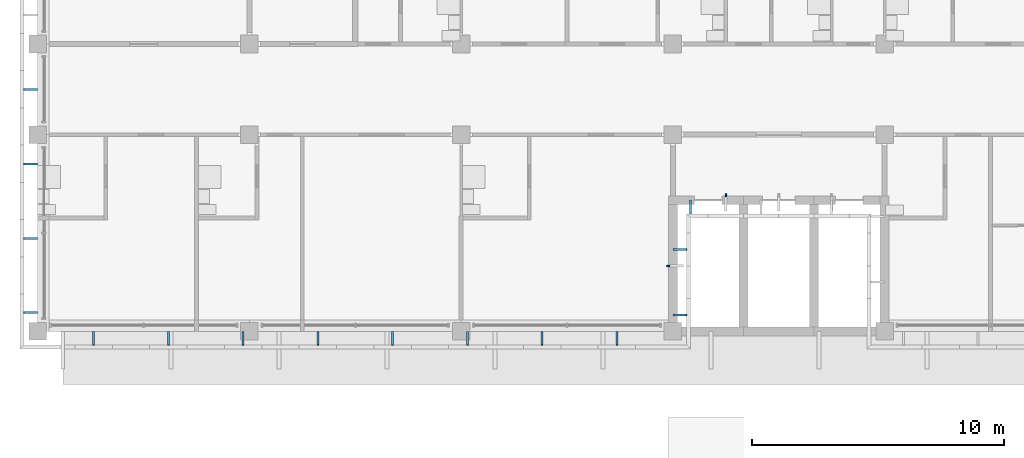
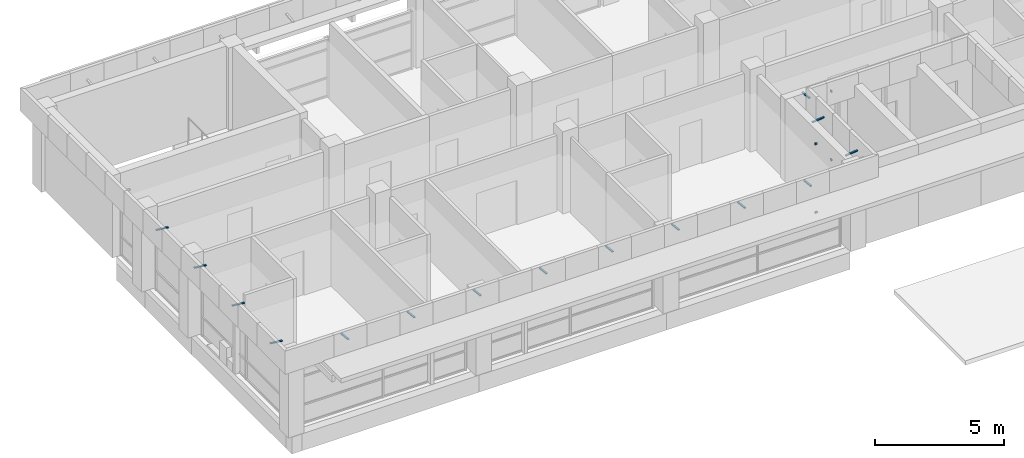
# One storey, part 23 of 36: 19 discrete accessories.
"""IFC4 building model written with IfcOpenShell, lengths in metres."""

from ifc_helpers import new_model, si_unit, direction, frame, origin, origin_2d, place, context, subcontext, project, spatial, rectangle, extrude, material, material_profile, profile_set, type_object, element, save


model = new_model("IFC4")

# Units and contexts
model_context = context("Model", 3, precision=1e-05, world=origin(), true_north=direction((0.0, 1.0)))
body_context = subcontext(model_context, "Body", "Model", "MODEL_VIEW")
ifc_project = project(units=[si_unit("LENGTHUNIT", "METRE"), si_unit("AREAUNIT", "SQUARE_METRE"), si_unit("VOLUMEUNIT", "CUBIC_METRE"), si_unit("PLANEANGLEUNIT", "RADIAN"), si_unit("MASSUNIT", "GRAM", prefix="KILO")], contexts=[model_context])

# Site, building, storey
site_placement = place(None, origin())
site = spatial("IfcSite", under=ifc_project, at=site_placement, CompositionType="ELEMENT")
building_placement = place(site_placement, origin())
building = spatial("IfcBuilding", under=site, at=building_placement, Name="Bougainvillea Quay General Hospital", CompositionType="ELEMENT")
storey_placement = place(building_placement, frame((0.0, 0.0, 32.699951171875)))
storey = spatial("IfcBuildingStorey", under=building, at=storey_placement, Name="L07", CompositionType="ELEMENT", Elevation=32.699951171875)

# Discrete accessories
ifc_material = material(Name="Stainless steel bracket, grade 316", Category="steel")
discrete_accessory_type_1 = type_object("IfcDiscreteAccessoryType", Name="Stainless steel fin arm 60x80", PredefinedType="BRACKET", material=ifc_material)
for number, where, z_axis, x_axis, name in (
    (1, (67.010009765625, 143.0, 0.0), (0.0, 0.0, 1.0), (1.0, 0.0, 0.0), "Fin arm V5A L07 03.1B"),
    (2, (67.010009765625, 143.0, 3.25), (0.0, 0.0, 1.0), (1.0, 0.0, 0.0), "Fin arm V5A L07 03.1T"),
    (3, (69.300048828125, 145.7900390625, 0.0), (0.0, 0.0, 1.0), (0.0, -1.0, 0.0), "Fin arm V5A L07 04.3B"),
    (4, (69.300048828125, 145.7900390625, 3.25), (0.0, 0.0, 1.0), (0.0, -1.0, 0.0), "Fin arm V5A L07 04.3T"),
):
    element("IfcDiscreteAccessory", number, at=place(storey_placement, frame(where, z_axis=z_axis, x_axis=x_axis)), inside=storey, type_object=discrete_accessory_type_1, Name=name, PredefinedType="BRACKET", context=body_context, shape_type="SweptSolid", body=[
        extrude(rectangle(XDim=0.1201171875, YDim=0.06005859375, at=origin_2d()), origin(), (0.0, 0.0, 1.0), 0.080078125),
    ])
ifc_material_profile = material_profile(ifc_material, rectangle(XDim=0.080078125, YDim=0.050048828125, at=origin_2d()))
ifc_profile_set = profile_set([ifc_material_profile], Name="Stainless steel bracket, grade 316")
discrete_accessory_type_2 = type_object("IfcDiscreteAccessoryType", Name="Stainless steel stand-off bracket 80x50", PredefinedType="BRACKET", material=ifc_profile_set)
for number, where, z_axis, x_axis, name in (
    (5, (42.0, 150.0, 3.840087890625), (-0.994091793559, 0.0, 0.108542645901), (0.0, -1.0, 0.0), "Fascia bracket e0 103"),
    (6, (42.0, 147.046142578125, 3.840087890625), (-0.994091793559, 0.0, 0.108542645901), (0.0, -1.0, 0.0), "Fascia bracket e0 105"),
    (7, (42.0, 144.09228515625, 3.840087890625), (-0.994091793559, 0.0, 0.108542645901), (0.0, -1.0, 0.0), "Fascia bracket e0 107"),
    (8, (42.0, 141.138427734375, 3.840087890625), (-0.994091793559, 0.0, 0.108542645901), (0.0, -1.0, 0.0), "Fascia bracket e0 109"),
):
    element("IfcDiscreteAccessory", number, at=place(storey_placement, frame(where, z_axis=z_axis, x_axis=x_axis)), inside=storey, type_object=discrete_accessory_type_2, Name=name, PredefinedType="BRACKET", context=body_context, shape_type="SweptSolid", body=[
        extrude(rectangle(XDim=0.080078125, YDim=0.050048828125, at=origin_2d()), origin(), (0.0, 0.0, 1.0), 0.55322265625),
    ])
for number, where, z_axis, x_axis, name in (
    (9, (44.2236328125, 140.39990234375, 3.840087890625), (0.0, -0.994086591779, 0.108590276011), (1.0, 0.0, 0.0), "Fascia bracket e0 111"),
    (10, (47.188232421875, 140.39990234375, 3.840087890625), (0.0, -0.994086591779, 0.108590276011), (1.0, 0.0, 0.0), "Fascia bracket e0 113"),
    (11, (50.15283203125, 140.39990234375, 3.840087890625), (0.0, -0.994086591779, 0.108590276011), (1.0, 0.0, 0.0), "Fascia bracket e0 115"),
    (12, (53.11767578125, 140.39990234375, 3.840087890625), (0.0, -0.994086591779, 0.108590276011), (1.0, 0.0, 0.0), "Fascia bracket e0 117"),
    (13, (56.082275390625, 140.39990234375, 3.840087890625), (0.0, -0.994086591779, 0.108590276011), (1.0, 0.0, 0.0), "Fascia bracket e0 119"),
    (14, (59.047119140625, 140.39990234375, 3.840087890625), (0.0, -0.994086591779, 0.108590276011), (1.0, 0.0, 0.0), "Fascia bracket e0 121"),
    (15, (62.01171875, 140.39990234375, 3.840087890625), (0.0, -0.994086591779, 0.108590276011), (1.0, 0.0, 0.0), "Fascia bracket e0 123"),
    (16, (64.9765625, 140.39990234375, 3.840087890625), (0.0, -0.994086591779, 0.108590276011), (1.0, 0.0, 0.0), "Fascia bracket e0 125"),
):
    element("IfcDiscreteAccessory", number, at=place(storey_placement, frame(where, z_axis=z_axis, x_axis=x_axis)), inside=storey, type_object=discrete_accessory_type_2, Name=name, PredefinedType="BRACKET", context=body_context, shape_type="SweptSolid", body=[
        extrude(rectangle(XDim=0.080078125, YDim=0.050048828125, at=origin_2d()), origin(), (0.0, 0.0, 1.0), 0.552978515625),
    ])
for number, where, z_axis, x_axis, name in (
    (17, (67.199951171875, 141.050048828125, 3.840087890625), (0.994091793559, 0.0, 0.108542645901), (0.0, 1.0, 0.0), "Fascia bracket e0 127"),
    (18, (67.199951171875, 143.64990234375, 3.840087890625), (0.994091793559, 0.0, 0.108542645901), (0.0, 1.0, 0.0), "Fascia bracket e0 129"),
    (19, (67.89990234375, 145.60009765625, 3.840087890625), (0.0, -0.994091793559, 0.108542645901), (1.0, 0.0, 0.0), "Fascia bracket e0 131"),
):
    element("IfcDiscreteAccessory", number, at=place(storey_placement, frame(where, z_axis=z_axis, x_axis=x_axis)), inside=storey, type_object=discrete_accessory_type_2, Name=name, PredefinedType="BRACKET", context=body_context, shape_type="SweptSolid", body=[
        extrude(rectangle(XDim=0.080078125, YDim=0.050048828125, at=origin_2d()), origin(), (0.0, 0.0, 1.0), 0.55322265625),
    ])

save(model, "model.ifc")
